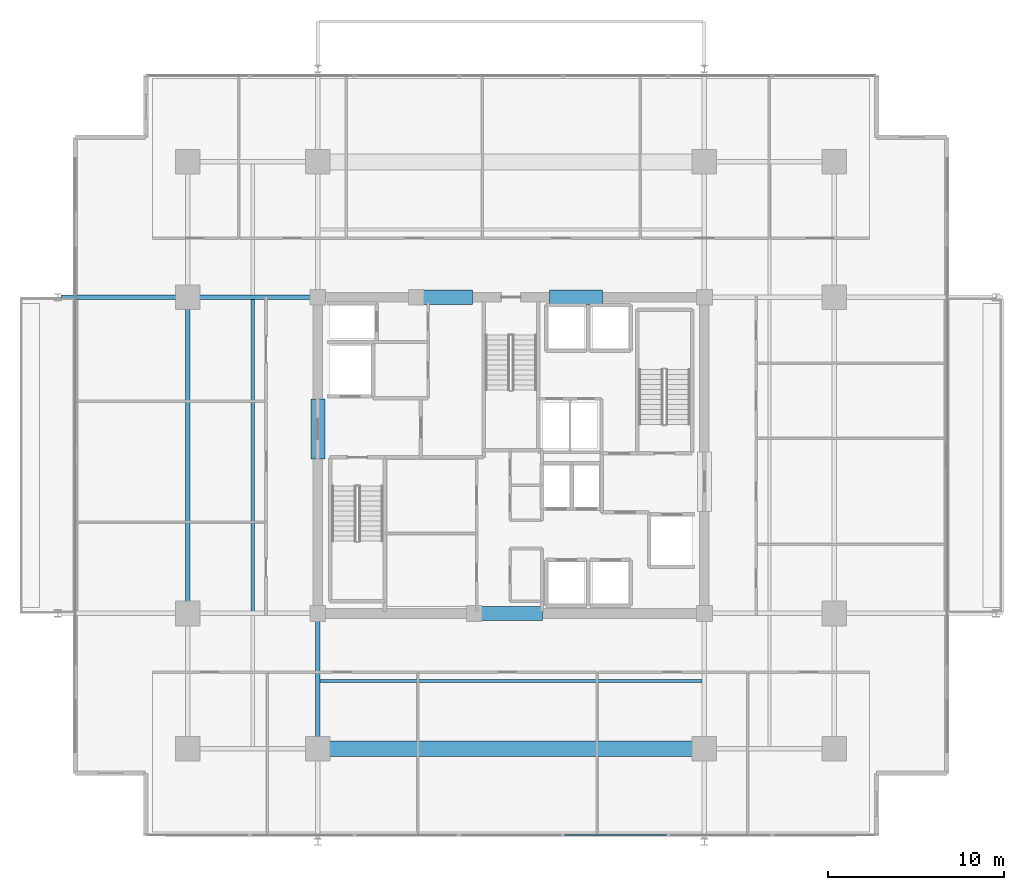
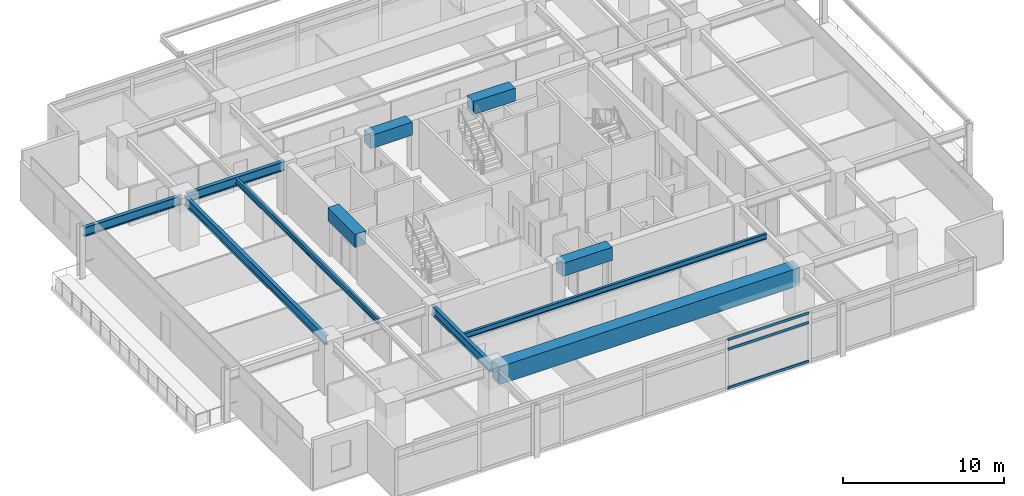
# One storey, part 5 of 21: 11 beams, 3 members, 1 element without a shape of its own.
"""IFC4 building model written with IfcOpenShell, lengths in metres."""

from ifc_helpers import new_model, si_unit, direction, frame, origin, origin_2d, place, context, subcontext, project, spatial, rectangle, hollow_rectangle, i_section, extrude, material, material_profile, profile_set, type_object, element, aggregate, save


model = new_model("IFC4")

# Units and contexts
model_context = context("Model", 3, precision=1e-05, world=origin(), true_north=direction((0.0, 1.0)))
body_context = subcontext(model_context, "Body", "Model", "MODEL_VIEW")
ifc_project = project(units=[si_unit("LENGTHUNIT", "METRE"), si_unit("AREAUNIT", "SQUARE_METRE"), si_unit("VOLUMEUNIT", "CUBIC_METRE"), si_unit("PLANEANGLEUNIT", "RADIAN"), si_unit("MASSUNIT", "GRAM", prefix="KILO")], contexts=[model_context])

# Site, building, storey
site_placement = place(None, origin())
site = spatial("IfcSite", under=ifc_project, at=site_placement, CompositionType="ELEMENT")
building_placement = place(site_placement, origin())
building = spatial("IfcBuilding", under=site, at=building_placement, Name="Kovane Verandah Tower", CompositionType="ELEMENT")
storey_placement = place(building_placement, frame((0.0, 0.0, 205.199951171875)))
storey = spatial("IfcBuildingStorey", under=building, at=storey_placement, Name="L47", CompositionType="ELEMENT", Elevation=205.199951171875)

# Beams
ifc_material_1 = material(Name="Concrete C60/75", Category="concrete")
ifc_material_profile_1 = material_profile(ifc_material_1, rectangle(XDim=0.800048828125, YDim=1.0, at=origin_2d()), Name="RCB800x1000")
ifc_profile_set_1 = profile_set([ifc_material_profile_1], Name="Concrete C60/75")
beam_type_1 = type_object("IfcBeamType", Name="BM-LINTEL-800x1000", PredefinedType="LINTEL", material=ifc_profile_set_1)
beam_1_placement = place(storey_placement, frame((38.199951171875, 18.5, 3.275146484375), z_axis=(1.0, 0.0, 0.0), x_axis=(0.0, 1.0, 0.0)))
element("IfcBeam", 1, at=beam_1_placement, inside=storey, type_object=beam_type_1, Name="L47 Core Coupling Lintel CL-S", PredefinedType="LINTEL", context=body_context, shape_type="SweptSolid", body=[
    extrude(rectangle(XDim=0.800048828125, YDim=1.0, at=origin_2d()), origin(), (0.0, 0.0, 1.0), 3.60009765625),
])
for number, where, z_axis, x_axis, name in (
    (2, (34.800048828125, 36.5, 3.275146484375), (1.0, 0.0, 0.0), (0.0, 1.0, 0.0), "L47 Core Coupling Lintel CL-N1"),
    (3, (42.199951171875, 36.5, 3.275146484375), (1.0, 0.0, 0.0), (0.0, 1.0, 0.0), "L47 Core Coupling Lintel CL-N2"),
):
    element("IfcBeam", number, at=place(storey_placement, frame(where, z_axis=z_axis, x_axis=x_axis)), inside=storey, type_object=beam_type_1, Name=name, PredefinedType="LINTEL", context=body_context, shape_type="SweptSolid", body=[
        extrude(rectangle(XDim=0.800048828125, YDim=1.0, at=origin_2d()), origin(), (0.0, 0.0, 1.0), 3.0),
    ])
beam_2_placement = place(storey_placement, frame((29.0, 27.300048828125, 3.275146484375), z_axis=(0.0, 1.0, 0.0), x_axis=(-1.0, 0.0, 0.0)))
element("IfcBeam", 4, at=beam_2_placement, inside=storey, type_object=beam_type_1, Name="L47 Core Coupling Lintel CL-W", PredefinedType="LINTEL", context=body_context, shape_type="SweptSolid", body=[
    extrude(rectangle(XDim=0.800048828125, YDim=1.0, at=origin_2d()), origin(), (0.0, 0.0, 1.0), 3.39990234375),
])
ifc_material_2 = material(Name="Concrete C80/95", Category="concrete")
ifc_material_profile_2 = material_profile(ifc_material_2, rectangle(XDim=0.89990234375, YDim=1.35009765625, at=origin_2d()), Name="RCB900x1350")
ifc_profile_set_2 = profile_set([ifc_material_profile_2], Name="Concrete C80/95")
beam_type_2 = type_object("IfcBeamType", Name="BM-TR-900x1350", PredefinedType="BEAM", material=ifc_profile_set_2)
beam_3_placement = place(storey_placement, frame((29.179931640625, 10.800048828125, 3.10009765625), z_axis=(1.0, 0.0, 0.0), x_axis=(0.0, 1.0, 0.0)))
element("IfcBeam", 5, at=beam_3_placement, inside=storey, type_object=beam_type_2, Name="L47 Primary Tower Girder G-RS2", PredefinedType="BEAM", context=body_context, shape_type="SweptSolid", body=[
    extrude(rectangle(XDim=0.89990234375, YDim=1.35009765625, at=origin_2d()), origin(), (0.0, 0.0, 1.0), 21.64013671875),
])
ifc_material_3 = material(Name="Steel S355", Category="steel")
ifc_material_profile_3 = material_profile(ifc_material_3, i_section(OverallWidth=0.255859375, OverallDepth=0.69287109375, WebThickness=0.014404296875, FlangeThickness=0.023681640625, FilletRadius=0.01513671875, at=origin_2d()), Name="UB686x254x170")
ifc_profile_set_3 = profile_set([ifc_material_profile_3], Name="Steel S355")
beam_type_3 = type_object("IfcBeamType", Name="BM-UB686x170", PredefinedType="BEAM", material=ifc_profile_set_3)
beam_4_placement = place(storey_placement, frame((21.60009765625, 18.679931640625, 3.428466796875), z_axis=(0.0, 1.0, 0.0), x_axis=(-1.0, 0.0, 0.0)))
element("IfcBeam", 6, at=beam_4_placement, inside=storey, type_object=beam_type_3, Name="L47 Primary Tower Girder G-RW2", PredefinedType="BEAM", context=body_context, shape_type="SweptSolid", body=[
    extrude(i_section(OverallWidth=0.255859375, OverallDepth=0.69287109375, WebThickness=0.014404296875, FlangeThickness=0.023681640625, FilletRadius=0.01513671875, at=origin_2d()), origin(), (0.0, 0.0, 1.0), 17.64013671875),
])
beam_5_placement = place(storey_placement, frame((28.820068359375, 36.5, 3.428466796875), z_axis=(-1.0, 0.0, 0.0), x_axis=(0.0, -1.0, 0.0)))
element("IfcBeam", 7, at=beam_5_placement, inside=storey, type_object=beam_type_3, Name="L47 Primary Tower Girder G-W2", PredefinedType="BEAM", context=body_context, shape_type="SweptSolid", body=[
    extrude(i_section(OverallWidth=0.255859375, OverallDepth=0.69287109375, WebThickness=0.014404296875, FlangeThickness=0.023681640625, FilletRadius=0.01513671875, at=origin_2d()), origin(), (0.0, 0.0, 1.0), 7.0400390625),
])
beam_6_placement = place(storey_placement, frame((29.0, 18.320068359375, 3.428466796875), z_axis=(0.0, -1.0, 0.0), x_axis=(1.0, 0.0, 0.0)))
element("IfcBeam", 8, at=beam_6_placement, inside=storey, type_object=beam_type_3, Name="L47 Primary Tower Girder G-S1", PredefinedType="BEAM", context=body_context, shape_type="SweptSolid", body=[
    extrude(i_section(OverallWidth=0.255859375, OverallDepth=0.69287109375, WebThickness=0.014404296875, FlangeThickness=0.023681640625, FilletRadius=0.01513671875, at=origin_2d()), origin(), (0.0, 0.0, 1.0), 7.340087890625),
])
beam_7_placement = place(storey_placement, frame((21.419921875, 36.5, 3.41357421875), z_axis=(-1.0, 0.0, 0.0), x_axis=(0.0, -1.0, 0.0)))
element("IfcBeam", 9, at=beam_7_placement, inside=storey, type_object=beam_type_3, Name="L47 Primary Tower Girder G-VW2", PredefinedType="BEAM", context=body_context, shape_type="SweptSolid", body=[
    extrude(i_section(OverallWidth=0.255859375, OverallDepth=0.69287109375, WebThickness=0.014404296875, FlangeThickness=0.023681640625, FilletRadius=0.01513671875, at=origin_2d()), origin(), (0.0, 0.0, 1.0), 7.0400390625),
])

# Curtain wall, members
ifc_material_4 = material(Name="Champagne Anodised Aluminium Frame with Low-E Clear Laminated Glass", Category="aluminium")
curtain_wall_type = type_object("IfcCurtainWallType", Name="CW-SYS-03-MID", PredefinedType="NOTDEFINED", material=ifc_material_4)
curtain_wall_placement = place(storey_placement, origin())
curtain_wall = element("IfcCurtainWall", 10, at=curtain_wall_placement, inside=storey, type_object=curtain_wall_type, Name="L47 S Unitised Curtain Wall", PredefinedType="NOTDEFINED")
ifc_material_5 = material(Name="Champagne Anodised Aluminium 6063-T6", Category="aluminium")
ifc_material_profile_4 = material_profile(ifc_material_5, hollow_rectangle(XDim=0.0849609375, YDim=0.18994140625, WallThickness=0.00390625, at=origin_2d()), Name="AL85x190x4")
ifc_profile_set_4 = profile_set([ifc_material_profile_4], Name="Champagne Anodised Aluminium 6063-T6")
member_type = type_object("IfcMemberType", Name="CW-TRN-85x190", PredefinedType="USERDEFINED", material=ifc_profile_set_4)
member_1_placement = place(storey_placement, frame((43.021484375, 5.89990234375, 0.050048828125), z_axis=(1.0, 0.0, 0.0), x_axis=(0.0, 1.0, 0.0)))
member_1 = element("IfcMember", 11, at=member_1_placement, type_object=member_type, Name="L47 S Unitised Curtain Wall Transom TB Bay 5", ObjectType="TRANSOM", PredefinedType="USERDEFINED", context=body_context, shape_type="SweptSolid", body=[
    extrude(hollow_rectangle(XDim=0.0849609375, YDim=0.18994140625, WallThickness=0.00390625, at=origin_2d()), origin(), (0.0, 0.0, 1.0), 5.8427734375),
])
member_2_placement = place(storey_placement, frame((43.021484375, 5.89990234375, 2.9951171875), z_axis=(1.0, 0.0, 0.0), x_axis=(0.0, 1.0, 0.0)))
member_2 = element("IfcMember", 12, at=member_2_placement, type_object=member_type, Name="L47 S Unitised Curtain Wall Transom TM Bay 5", ObjectType="TRANSOM", PredefinedType="USERDEFINED", context=body_context, shape_type="SweptSolid", body=[
    extrude(hollow_rectangle(XDim=0.0849609375, YDim=0.18994140625, WallThickness=0.00390625, at=origin_2d()), origin(), (0.0, 0.0, 1.0), 5.8427734375),
])
member_3_placement = place(storey_placement, frame((43.021484375, 5.89990234375, 3.72509765625), z_axis=(1.0, 0.0, 0.0), x_axis=(0.0, 1.0, 0.0)))
member_3 = element("IfcMember", 13, at=member_3_placement, type_object=member_type, Name="L47 S Unitised Curtain Wall Transom TT Bay 5", ObjectType="TRANSOM", PredefinedType="USERDEFINED", context=body_context, shape_type="SweptSolid", body=[
    extrude(hollow_rectangle(XDim=0.0849609375, YDim=0.18994140625, WallThickness=0.00390625, at=origin_2d()), origin(), (0.0, 0.0, 1.0), 5.8427734375),
])
aggregate(curtain_wall, [member_1, member_2, member_3])

# Beams
ifc_material_profile_5 = material_profile(ifc_material_3, i_section(OverallWidth=0.179443359375, OverallDepth=0.412841796875, WebThickness=0.009521484375, FlangeThickness=0.01611328125, FilletRadius=0.01025390625, at=origin_2d()), Name="UB406x178x74")
ifc_profile_set_5 = profile_set([ifc_material_profile_5], Name="Steel S355")
beam_type_4 = type_object("IfcBeamType", Name="JST-UB406x74", PredefinedType="JOIST", material=ifc_profile_set_5)
beam_8_placement = place(storey_placement, frame((29.1259765625, 14.64990234375, 3.568603515625), z_axis=(1.0, 0.0, 0.0), x_axis=(0.0, 1.0, 0.0)))
element("IfcBeam", 14, at=beam_8_placement, inside=storey, type_object=beam_type_4, Name="L47 Secondary Composite Joist J-S1", PredefinedType="JOIST", context=body_context, shape_type="SweptSolid", body=[
    extrude(i_section(OverallWidth=0.179443359375, OverallDepth=0.412841796875, WebThickness=0.009521484375, FlangeThickness=0.01611328125, FilletRadius=0.01025390625, at=origin_2d()), origin(), (0.0, 0.0, 1.0), 21.748046875),
])
beam_9_placement = place(storey_placement, frame((25.300048828125, 18.6259765625, 3.568603515625), z_axis=(0.0, 1.0, 0.0), x_axis=(-1.0, 0.0, 0.0)))
element("IfcBeam", 15, at=beam_9_placement, inside=storey, type_object=beam_type_4, Name="L47 Secondary Composite Joist J-W1", PredefinedType="JOIST", context=body_context, shape_type="SweptSolid", body=[
    extrude(i_section(OverallWidth=0.179443359375, OverallDepth=0.412841796875, WebThickness=0.009521484375, FlangeThickness=0.01611328125, FilletRadius=0.01025390625, at=origin_2d()), origin(), (0.0, 0.0, 1.0), 17.748046875),
])

save(model, "model.ifc")
